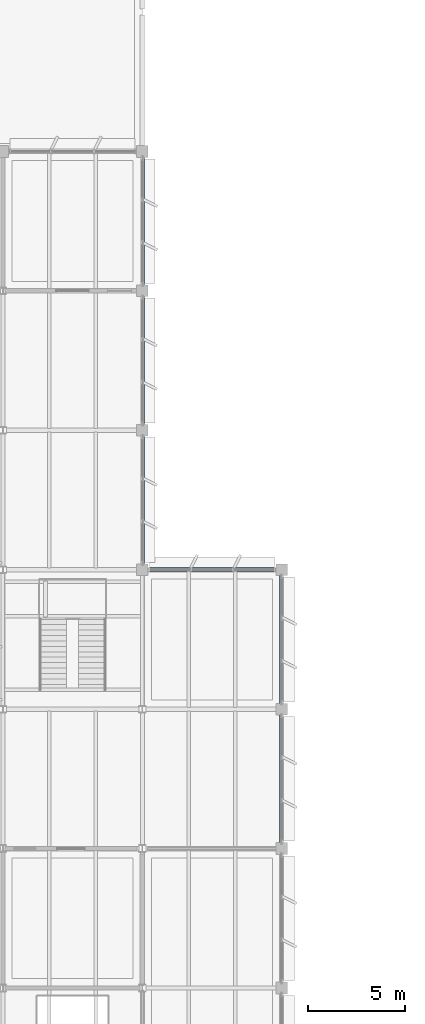
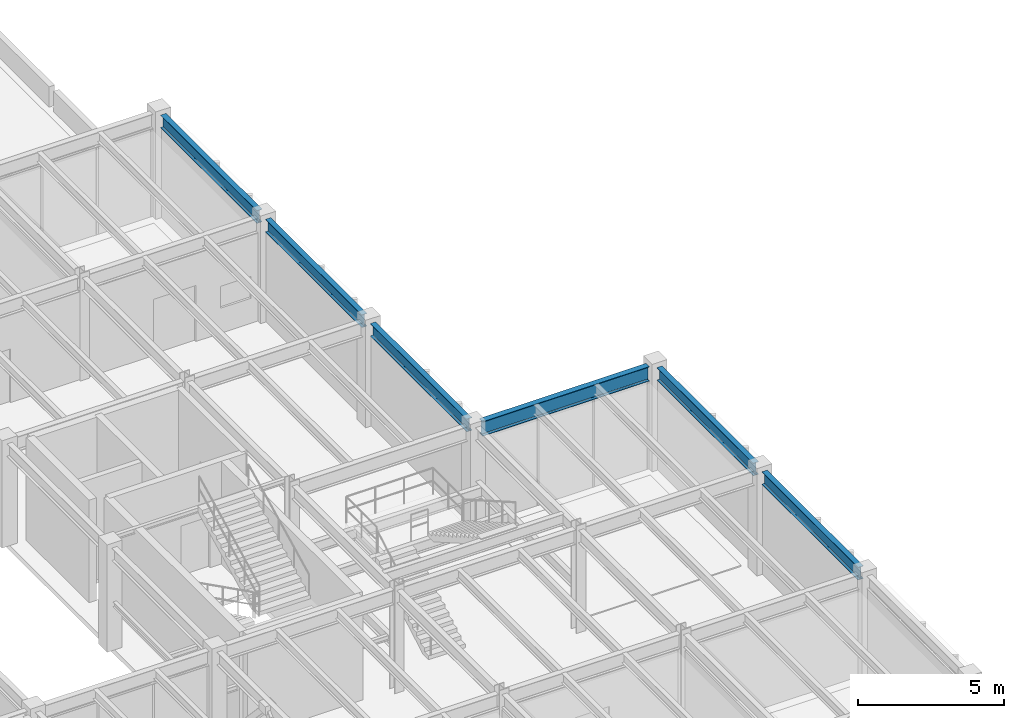
# One storey, part 24 of 92: 6 beams.
"""IFC4 building model written with IfcOpenShell, lengths in metres."""

from ifc_helpers import new_model, si_unit, direction, frame, origin, origin_2d, place, context, subcontext, project, spatial, i_section, extrude, material, material_profile, profile_set, type_object, element, save


model = new_model("IFC4")

# Units and contexts
model_context = context("Model", 3, precision=1e-05, world=origin(), true_north=direction((0.0, 1.0)))
body_context = subcontext(model_context, "Body", "Model", "MODEL_VIEW")
ifc_project = project(units=[si_unit("LENGTHUNIT", "METRE"), si_unit("AREAUNIT", "SQUARE_METRE"), si_unit("VOLUMEUNIT", "CUBIC_METRE"), si_unit("PLANEANGLEUNIT", "RADIAN"), si_unit("MASSUNIT", "GRAM", prefix="KILO")], contexts=[model_context])

# Site, building, storey
site_placement = place(None, origin())
site = spatial("IfcSite", under=ifc_project, at=site_placement, CompositionType="ELEMENT")
building_placement = place(site_placement, origin())
building = spatial("IfcBuilding", under=site, at=building_placement, Name="Sillqori Civic Hall", CompositionType="ELEMENT")
storey_placement = place(building_placement, frame((0.0, 0.0, 5.39990234375)))
storey = spatial("IfcBuildingStorey", under=building, at=storey_placement, Name="L02", CompositionType="ELEMENT", Elevation=5.39990234375)

# Beams
ifc_material = material(Name="Steel ASTM A992", Category="steel")
ifc_material_profile_1 = material_profile(ifc_material, i_section(OverallWidth=0.2099609375, OverallDepth=0.532958984375, WebThickness=0.01025390625, FlangeThickness=0.015625, FilletRadius=0.013916015625, at=origin_2d()), Name="W21X62")
ifc_profile_set_1 = profile_set([ifc_material_profile_1], Name="Steel ASTM A992")
beam_type_1 = type_object("IfcBeamType", Name="BM-W21X62", PredefinedType="BEAM", material=ifc_profile_set_1)
for number, where, z_axis, x_axis, name in (
    (1, (136.800048828125, 57.89404296875, 4.03369140625), (0.0, 1.0, 0.0), (-1.0, 0.0, 0.0), "L02 girder Y 19-8"),
    (2, (136.800048828125, 65.093994140625, 4.03369140625), (0.0, 1.0, 0.0), (-1.0, 0.0, 0.0), "L02 girder Y 19-9"),
    (3, (136.800048828125, 72.2939453125, 4.03369140625), (0.0, 1.0, 0.0), (-1.0, 0.0, 0.0), "L02 girder Y 19-10"),
    (4, (144.0, 43.493896484375, 4.03369140625), (0.0, 1.0, 0.0), (-1.0, 0.0, 0.0), "L02 girder Y 20-6"),
):
    element("IfcBeam", number, at=place(storey_placement, frame(where, z_axis=z_axis, x_axis=x_axis)), inside=storey, type_object=beam_type_1, Name=name, PredefinedType="BEAM", context=body_context, shape_type="SweptSolid", body=[
        extrude(i_section(OverallWidth=0.2099609375, OverallDepth=0.532958984375, WebThickness=0.01025390625, FlangeThickness=0.015625, FilletRadius=0.013916015625, at=origin_2d()), origin(), (0.0, 0.0, 1.0), 6.612060546875),
    ])
beam_1_placement = place(storey_placement, frame((144.0, 50.694091796875, 4.03369140625), z_axis=(0.0, 1.0, 0.0), x_axis=(-1.0, 0.0, 0.0)))
element("IfcBeam", 5, at=beam_1_placement, inside=storey, type_object=beam_type_1, Name="L02 girder Y 20-7", PredefinedType="BEAM", context=body_context, shape_type="SweptSolid", body=[
    extrude(i_section(OverallWidth=0.2099609375, OverallDepth=0.532958984375, WebThickness=0.01025390625, FlangeThickness=0.015625, FilletRadius=0.013916015625, at=origin_2d()), origin(), (0.0, 0.0, 1.0), 6.61181640625),
])
ifc_material_profile_2 = material_profile(ifc_material, i_section(OverallWidth=0.22900390625, OverallDepth=0.612060546875, WebThickness=0.011962890625, FlangeThickness=0.01953125, FilletRadius=0.014892578125, at=origin_2d()), Name="W24X84")
ifc_profile_set_2 = profile_set([ifc_material_profile_2], Name="Steel ASTM A992")
beam_type_2 = type_object("IfcBeamType", Name="BM-W24X84", PredefinedType="BEAM", material=ifc_profile_set_2)
beam_2_placement = place(storey_placement, frame((137.093994140625, 57.60009765625, 3.994140625), z_axis=(1.0, 0.0, 0.0), x_axis=(0.0, 1.0, 0.0)))
element("IfcBeam", 6, at=beam_2_placement, inside=storey, type_object=beam_type_2, Name="L02 girder X 19-8", PredefinedType="BEAM", context=body_context, shape_type="SweptSolid", body=[
    extrude(i_section(OverallWidth=0.22900390625, OverallDepth=0.612060546875, WebThickness=0.011962890625, FlangeThickness=0.01953125, FilletRadius=0.014892578125, at=origin_2d()), origin(), (0.0, 0.0, 1.0), 6.612060546875),
])

save(model, "model.ifc")
